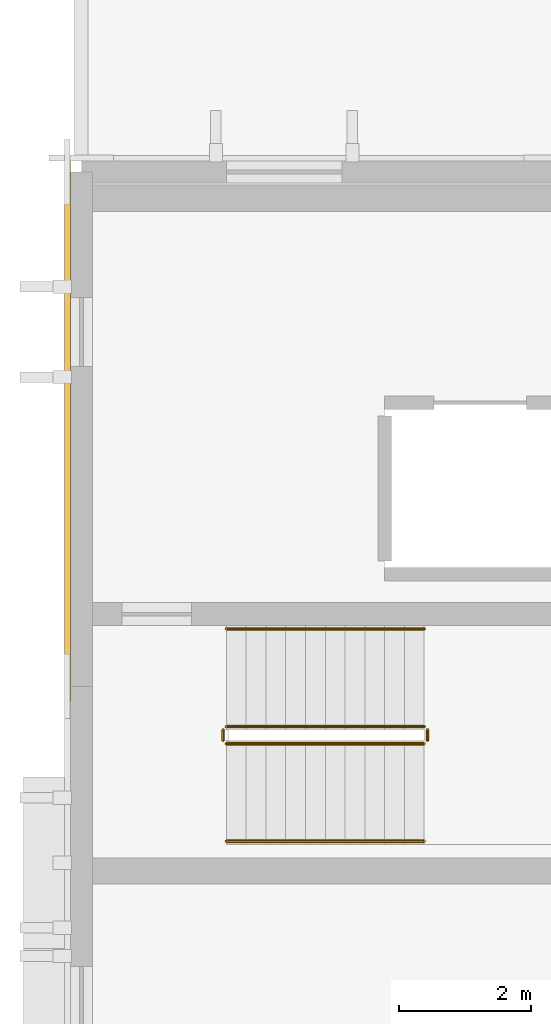
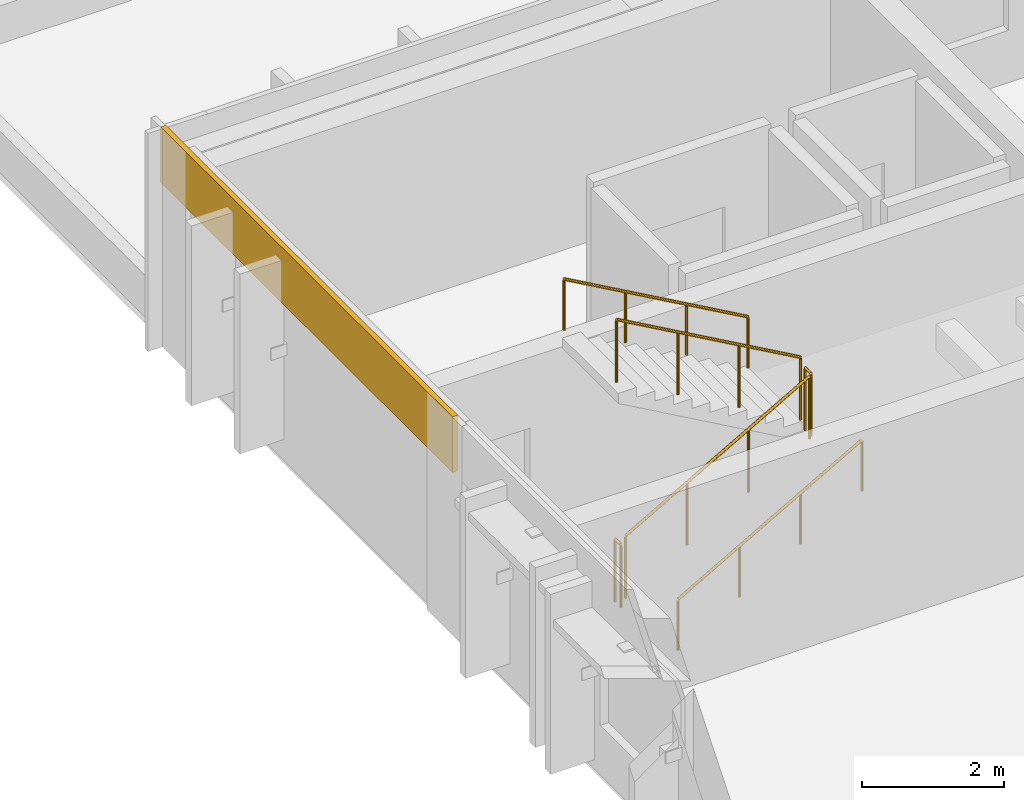
# One storey, part 64 of 73: 6 railings, 1 covering.
"""IFC4 building model written with IfcOpenShell, lengths in metres."""

from ifc_helpers import new_model, si_unit, direction, frame, origin, origin_2d, place, context, subcontext, project, spatial, rectangle, circle, extrude, material, layer, layer_set, type_object, element, save


model = new_model("IFC4")

# Units and contexts
model_context = context("Model", 3, precision=1e-05, world=origin(), true_north=direction((0.0, 1.0)))
body_context = subcontext(model_context, "Body", "Model", "MODEL_VIEW")
ifc_project = project(units=[si_unit("LENGTHUNIT", "METRE"), si_unit("AREAUNIT", "SQUARE_METRE"), si_unit("VOLUMEUNIT", "CUBIC_METRE"), si_unit("PLANEANGLEUNIT", "RADIAN"), si_unit("MASSUNIT", "GRAM", prefix="KILO")], contexts=[model_context])

# Site, building, storey
site_placement = place(None, origin())
site = spatial("IfcSite", under=ifc_project, at=site_placement, CompositionType="ELEMENT")
building_placement = place(site_placement, origin())
building = spatial("IfcBuilding", under=site, at=building_placement, Name="Vervanel Yard Central Library", CompositionType="ELEMENT")
storey_placement = place(building_placement, frame((0.0, 0.0, 12.780029296875)))
storey = spatial("IfcBuildingStorey", under=building, at=storey_placement, Name="L03", CompositionType="ELEMENT", Elevation=12.780029296875)

# Railings
ifc_material_1 = material(Name="Brushed stainless steel AISI 316", Category="steel")
railing_type_1 = type_object("IfcRailingType", Name="Brushed Stainless Stair Handrail 900", PredefinedType="HANDRAIL", material=ifc_material_1)
railing_1_placement = place(storey_placement, frame((2.199951171875, 56.449951171875, 0.169921875)))
element("IfcRailing", 1, at=railing_1_placement, inside=storey, type_object=railing_type_1, Name="L03 ST-03 stair handrail 1", PredefinedType="HANDRAIL", context=body_context, shape_type="SweptSolid", body=[
    extrude(circle(Radius=0.02392578125, at=origin_2d()), frame((0.0, 0.0, 0.8759765625), z_axis=(0.870028259722, 0.0, 0.493001853226), x_axis=(0.0, 1.0, 0.0)), (0.0, 0.0, 1.0), 3.4482421875),
    extrude(circle(Radius=0.02099609375, at=origin_2d()), origin(), (0.0, 0.0, 1.0), 0.851806640625),
    extrude(circle(Radius=0.02099609375, at=origin_2d()), frame((1.0, 0.0, 0.566650390625)), (0.0, 0.0, 1.0), 0.851806640625),
    extrude(circle(Radius=0.02099609375, at=origin_2d()), frame((2.0, 0.0, 1.13330078125)), (0.0, 0.0, 1.0), 0.851806640625),
    extrude(circle(Radius=0.02099609375, at=origin_2d()), frame((3.0, 0.0, 1.699951171875)), (0.0, 0.0, 1.0), 0.851806640625),
])
railing_2_placement = place(storey_placement, frame((5.199951171875, 59.669921875, 2.0400390625)))
element("IfcRailing", 2, at=railing_2_placement, inside=storey, type_object=railing_type_1, Name="L03 ST-03 stair handrail 2", PredefinedType="HANDRAIL", context=body_context, shape_type="SweptSolid", body=[
    extrude(circle(Radius=0.02392578125, at=origin_2d()), frame((0.0, 0.0, 0.8759765625), z_axis=(-0.870028259722, 0.0, 0.493001853226), x_axis=(0.0, -1.0, 0.0)), (0.0, 0.0, 1.0), 3.4482421875),
    extrude(circle(Radius=0.02099609375, at=origin_2d()), origin(), (0.0, 0.0, 1.0), 0.851806640625),
    extrude(circle(Radius=0.02099609375, at=origin_2d()), frame((-1.0, 0.0, 0.566650390625)), (0.0, 0.0, 1.0), 0.851806640625),
    extrude(circle(Radius=0.02099609375, at=origin_2d()), frame((-2.0, 0.0, 1.13330078125)), (0.0, 0.0, 1.0), 0.851806640625),
    extrude(circle(Radius=0.02099609375, at=origin_2d()), frame((-3.0, 0.0, 1.699951171875)), (0.0, 0.0, 1.0), 0.851806640625),
])

# Covering
ifc_material_2 = material(Name="Precast concrete C45/55", Category="concrete")
ifc_layer = layer(ifc_material_2, 0.0849609375, Category="concrete")
ifc_layer_set = layer_set([ifc_layer], Name="Precast concrete C45/55")
covering_type = type_object("IfcCoveringType", Name="Bush-Hammered Precast Architectural Cladding Panel", PredefinedType="CLADDING", material=ifc_layer_set)
covering_placement = place(storey_placement, frame((-0.2099609375, 62.699951171875, 2.800048828125), z_axis=(0.0, 0.0, 1.0), x_axis=(0.0, 1.0, 0.0)))
element("IfcCovering", 3, at=covering_placement, inside=storey, type_object=covering_type, Name="L03 Precast Concrete Spandrel Cornice EWALL-L03-0132", PredefinedType="CLADDING", context=body_context, shape_type="SweptSolid", body=[
    extrude(rectangle(XDim=8.25, YDim=0.0849609375, at=origin_2d()), origin(), (0.0, 0.0, 1.0), 0.9599609375),
])

# Railings
ifc_material_3 = material(Name="Galvanized painted steelwork ASTM A500 Grade C", Category="steel")
railing_type_2 = type_object("IfcRailingType", Name="Painted Steel Guardrail 1100", PredefinedType="GUARDRAIL", material=ifc_material_3)
railing_3_placement = place(storey_placement, frame((2.199951171875, 57.929931640625, 0.169921875)))
element("IfcRailing", 4, at=railing_3_placement, inside=storey, type_object=railing_type_2, Name="L03 ST-03 stair guard 1", PredefinedType="GUARDRAIL", context=body_context, shape_type="SweptSolid", body=[
    extrude(circle(Radius=0.02392578125, at=origin_2d()), frame((0.0, 0.0, 1.076171875), z_axis=(0.870028259722, 0.0, 0.493001853226), x_axis=(0.0, 1.0, 0.0)), (0.0, 0.0, 1.0), 3.4482421875),
    extrude(circle(Radius=0.02099609375, at=origin_2d()), origin(), (0.0, 0.0, 1.0), 1.052001953125),
    extrude(circle(Radius=0.02099609375, at=origin_2d()), frame((1.0, 0.0, 0.566650390625)), (0.0, 0.0, 1.0), 1.052001953125),
    extrude(circle(Radius=0.02099609375, at=origin_2d()), frame((2.0, 0.0, 1.13330078125)), (0.0, 0.0, 1.0), 1.052001953125),
    extrude(circle(Radius=0.02099609375, at=origin_2d()), frame((3.0, 0.0, 1.699951171875)), (0.0, 0.0, 1.0), 1.052001953125),
])
railing_4_placement = place(storey_placement, frame((5.25, 57.97998046875, 1.869873046875)))
element("IfcRailing", 5, at=railing_4_placement, inside=storey, type_object=railing_type_2, Name="L03 ST-03 stair guard 2", PredefinedType="GUARDRAIL", context=body_context, shape_type="SweptSolid", body=[
    extrude(circle(Radius=0.02392578125, at=origin_2d()), frame((0.0, 0.0, 1.076171875), z_axis=(0.0, 1.0, 0.0), x_axis=(-1.0, 0.0, 0.0)), (0.0, 0.0, 1.0), 0.159912109375),
    extrude(circle(Radius=0.02099609375, at=origin_2d()), origin(), (0.0, 0.0, 1.0), 1.052001953125),
    extrude(circle(Radius=0.02099609375, at=origin_2d()), frame((0.0, 0.159912109375, 0.0)), (0.0, 0.0, 1.0), 1.052001953125),
])
railing_5_placement = place(storey_placement, frame((5.199951171875, 58.18994140625, 2.0400390625)))
element("IfcRailing", 6, at=railing_5_placement, inside=storey, type_object=railing_type_2, Name="L03 ST-03 stair guard 3", PredefinedType="GUARDRAIL", context=body_context, shape_type="SweptSolid", body=[
    extrude(circle(Radius=0.02392578125, at=origin_2d()), frame((0.0, 0.0, 1.076171875), z_axis=(-0.870028259722, 0.0, 0.493001853226), x_axis=(0.0, -1.0, 0.0)), (0.0, 0.0, 1.0), 3.4482421875),
    extrude(circle(Radius=0.02099609375, at=origin_2d()), origin(), (0.0, 0.0, 1.0), 1.052001953125),
    extrude(circle(Radius=0.02099609375, at=origin_2d()), frame((-1.0, 0.0, 0.566650390625)), (0.0, 0.0, 1.0), 1.052001953125),
    extrude(circle(Radius=0.02099609375, at=origin_2d()), frame((-2.0, 0.0, 1.13330078125)), (0.0, 0.0, 1.0), 1.052001953125),
    extrude(circle(Radius=0.02099609375, at=origin_2d()), frame((-3.0, 0.0, 1.699951171875)), (0.0, 0.0, 1.0), 1.052001953125),
])
railing_6_placement = place(storey_placement, frame((2.14990234375, 57.97998046875, 0.0)))
element("IfcRailing", 7, at=railing_6_placement, inside=storey, type_object=railing_type_2, Name="L03 ST-03 stair guard 4", PredefinedType="GUARDRAIL", context=body_context, shape_type="SweptSolid", body=[
    extrude(circle(Radius=0.02392578125, at=origin_2d()), frame((0.0, 0.0, 1.076171875), z_axis=(0.0, 1.0, 0.0), x_axis=(-1.0, 0.0, 0.0)), (0.0, 0.0, 1.0), 0.159912109375),
    extrude(circle(Radius=0.02099609375, at=origin_2d()), origin(), (0.0, 0.0, 1.0), 1.052001953125),
    extrude(circle(Radius=0.02099609375, at=origin_2d()), frame((0.0, 0.159912109375, 0.0)), (0.0, 0.0, 1.0), 1.052001953125),
])

save(model, "model.ifc")
